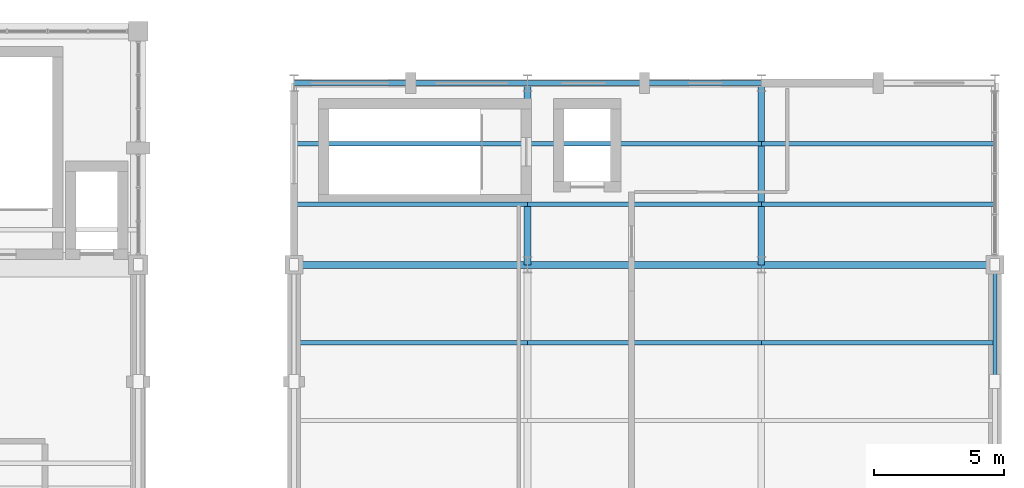
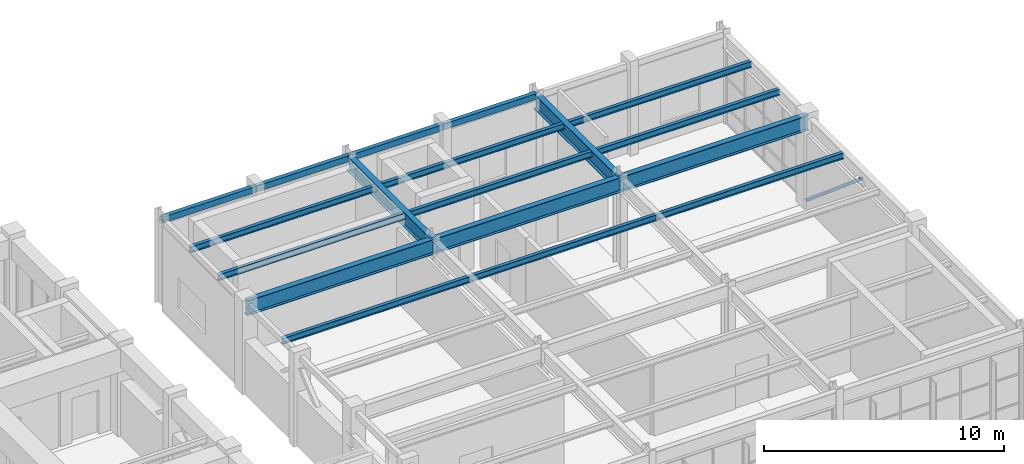
# One storey, part 67 of 99: 10 members, 9 beams.
"""IFC4 building model written with IfcOpenShell, lengths in metres."""

from ifc_helpers import new_model, si_unit, direction, frame, origin, origin_2d, place, context, subcontext, project, spatial, hollow_rectangle, i_section, extrude, material, material_profile, profile_set, type_object, element, save


model = new_model("IFC4")

# Units and contexts
model_context = context("Model", 3, precision=1e-05, world=origin(), true_north=direction((0.0, 1.0)))
body_context = subcontext(model_context, "Body", "Model", "MODEL_VIEW")
ifc_project = project(units=[si_unit("LENGTHUNIT", "METRE"), si_unit("AREAUNIT", "SQUARE_METRE"), si_unit("VOLUMEUNIT", "CUBIC_METRE"), si_unit("PLANEANGLEUNIT", "RADIAN"), si_unit("MASSUNIT", "GRAM", prefix="KILO")], contexts=[model_context])

# Site, building, storey
site_placement = place(None, origin())
site = spatial("IfcSite", under=ifc_project, at=site_placement, CompositionType="ELEMENT")
building_placement = place(site_placement, origin())
building = spatial("IfcBuilding", under=site, at=building_placement, Name="Ventoquebrada Cableway Terminal", CompositionType="ELEMENT")
storey_placement = place(building_placement, frame((0.0, 0.0, 9.60009765625)))
storey = spatial("IfcBuildingStorey", under=building, at=storey_placement, Name="L02", CompositionType="ELEMENT", Elevation=9.60009765625)

# Beams
ifc_material_1 = material(Name="Steel ASTM A992 Grade 50", Category="steel")
ifc_material_profile_1 = material_profile(ifc_material_1, i_section(OverallWidth=0.26708984375, OverallDepth=0.761962890625, WebThickness=0.014404296875, FlangeThickness=0.021484375, at=origin_2d()), Name="W30X116")
ifc_profile_set_1 = profile_set([ifc_material_profile_1], Name="Steel ASTM A992 Grade 50")
beam_type_1 = type_object("IfcBeamType", Name="BM-ST05", PredefinedType="BEAM", material=ifc_profile_set_1)
for number, where, z_axis, x_axis, name in (
    (1, (129.0, 95.0, 4.14892578125), (1.0, 0.0, 0.0), (0.0, 1.0, 0.0), "Primary frame girder FBM-0862"),
    (2, (138.0, 95.0, 4.14892578125), (1.0, 0.0, 0.0), (0.0, 1.0, 0.0), "Primary frame girder FBM-0863"),
    (3, (147.0, 95.0, 4.14892578125), (1.0, 0.0, 0.0), (0.0, 1.0, 0.0), "Primary frame girder FBM-0864"),
):
    element("IfcBeam", number, at=place(storey_placement, frame(where, z_axis=z_axis, x_axis=x_axis)), inside=storey, type_object=beam_type_1, Name=name, PredefinedType="BEAM", context=body_context, shape_type="SweptSolid", body=[
        extrude(i_section(OverallWidth=0.26708984375, OverallDepth=0.761962890625, WebThickness=0.014404296875, FlangeThickness=0.021484375, at=origin_2d()), origin(), (0.0, 0.0, 1.0), 9.0),
    ])
for number, where, z_axis, x_axis, name in (
    (4, (138.0, 95.0, 4.14892578125), (0.0, 1.0, 0.0), (-1.0, 0.0, 0.0), "Primary frame girder FBM-0878"),
    (5, (147.0, 95.0, 4.14892578125), (0.0, 1.0, 0.0), (-1.0, 0.0, 0.0), "Primary frame girder FBM-0881"),
):
    element("IfcBeam", number, at=place(storey_placement, frame(where, z_axis=z_axis, x_axis=x_axis)), inside=storey, type_object=beam_type_1, Name=name, PredefinedType="BEAM", context=body_context, shape_type="SweptSolid", body=[
        extrude(i_section(OverallWidth=0.26708984375, OverallDepth=0.761962890625, WebThickness=0.014404296875, FlangeThickness=0.021484375, at=origin_2d()), origin(), (0.0, 0.0, 1.0), 7.0),
    ])

# Members
ifc_material_2 = material(Name="Steel ASTM A500 Grade C", Category="steel")
ifc_material_profile_2 = material_profile(ifc_material_2, hollow_rectangle(XDim=0.14990234375, YDim=0.14990234375, WallThickness=0.008056640625, at=origin_2d()), Name="HSS150X150X8")
ifc_profile_set_2 = profile_set([ifc_material_profile_2], Name="Steel ASTM A500 Grade C")
member_type_1 = type_object("IfcMemberType", Name="BRC-FR02", PredefinedType="BRACE", material=ifc_profile_set_2)
member_placement = place(storey_placement, frame((156.0, 95.0, 0.14990234375), z_axis=(0.0, -0.764025829276, 0.645185657155), x_axis=(1.0, 0.0, 0.0)))
element("IfcMember", 6, at=member_placement, inside=storey, type_object=member_type_1, Name="Concentric lateral chevron brace BR-0536", PredefinedType="BRACE", context=body_context, shape_type="SweptSolid", body=[
    extrude(hollow_rectangle(XDim=0.14990234375, YDim=0.14990234375, WallThickness=0.008056640625, at=origin_2d()), origin(), (0.0, 0.0, 1.0), 5.889892578125),
])
ifc_material_profile_3 = material_profile(ifc_material_1, i_section(OverallWidth=0.1650390625, OverallDepth=0.31005859375, WebThickness=0.005859375, FlangeThickness=0.009765625, at=origin_2d()), Name="W12X26")
ifc_profile_set_3 = profile_set([ifc_material_profile_3], Name="Steel ASTM A992 Grade 50")
member_type_2 = type_object("IfcMemberType", Name="PUR-RF05", PredefinedType="PURLIN", material=ifc_profile_set_3)
for number, where, z_axis, x_axis, name in (
    (7, (129.0, 92.0, 4.260009765625), (1.0, 0.0, 0.0), (0.0, 1.0, 0.0), "Roof support purlin RPR-0520"),
    (8, (138.0, 92.0, 4.260009765625), (1.0, 0.0, 0.0), (0.0, 1.0, 0.0), "Roof support purlin RPR-0521"),
    (9, (147.0, 92.0, 4.260009765625), (1.0, 0.0, 0.0), (0.0, 1.0, 0.0), "Roof support purlin RPR-0522"),
    (10, (129.0, 97.3330078125, 4.260009765625), (1.0, 0.0, 0.0), (0.0, 1.0, 0.0), "Roof support purlin RPR-0523"),
    (11, (138.0, 97.3330078125, 4.260009765625), (1.0, 0.0, 0.0), (0.0, 1.0, 0.0), "Roof support purlin RPR-0524"),
    (12, (147.0, 97.3330078125, 4.260009765625), (1.0, 0.0, 0.0), (0.0, 1.0, 0.0), "Roof support purlin RPR-0525"),
    (13, (129.0, 99.6669921875, 4.260009765625), (1.0, 0.0, 0.0), (0.0, 1.0, 0.0), "Roof support purlin RPR-0526"),
    (14, (138.0, 99.6669921875, 4.260009765625), (1.0, 0.0, 0.0), (0.0, 1.0, 0.0), "Roof support purlin RPR-0527"),
    (15, (147.0, 99.6669921875, 4.260009765625), (1.0, 0.0, 0.0), (0.0, 1.0, 0.0), "Roof support purlin RPR-0528"),
):
    element("IfcMember", number, at=place(storey_placement, frame(where, z_axis=z_axis, x_axis=x_axis)), inside=storey, type_object=member_type_2, Name=name, PredefinedType="PURLIN", context=body_context, shape_type="SweptSolid", body=[
        extrude(i_section(OverallWidth=0.1650390625, OverallDepth=0.31005859375, WebThickness=0.005859375, FlangeThickness=0.009765625, at=origin_2d()), origin(), (0.0, 0.0, 1.0), 9.0),
    ])

# Beams
ifc_material_profile_4 = material_profile(ifc_material_2, hollow_rectangle(XDim=0.199951171875, YDim=0.300048828125, WallThickness=0.012451171875, at=origin_2d()), Name="RHS300X200X12.5")
ifc_profile_set_4 = profile_set([ifc_material_profile_4], Name="Steel ASTM A500 Grade C")
beam_type_2 = type_object("IfcBeamType", Name="SP-ST02", PredefinedType="SPANDREL", material=ifc_profile_set_4)
for number, where, z_axis, x_axis, name in (
    (16, (129.0, 102.0, 4.3798828125), (1.0, 0.0, 0.0), (0.0, 1.0, 0.0), "Perimeter spandrel beam FBM-0865"),
    (17, (133.5, 102.0, 4.3798828125), (1.0, 0.0, 0.0), (0.0, 1.0, 0.0), "Perimeter spandrel beam FBM-0866"),
    (18, (138.0, 102.0, 4.3798828125), (1.0, 0.0, 0.0), (0.0, 1.0, 0.0), "Perimeter spandrel beam FBM-0867"),
    (19, (142.5, 102.0, 4.3798828125), (1.0, 0.0, 0.0), (0.0, 1.0, 0.0), "Perimeter spandrel beam FBM-0868"),
):
    element("IfcBeam", number, at=place(storey_placement, frame(where, z_axis=z_axis, x_axis=x_axis)), inside=storey, type_object=beam_type_2, Name=name, PredefinedType="SPANDREL", context=body_context, shape_type="SweptSolid", body=[
        extrude(hollow_rectangle(XDim=0.199951171875, YDim=0.300048828125, WallThickness=0.012451171875, at=origin_2d()), origin(), (0.0, 0.0, 1.0), 4.5),
    ])

save(model, "model.ifc")
